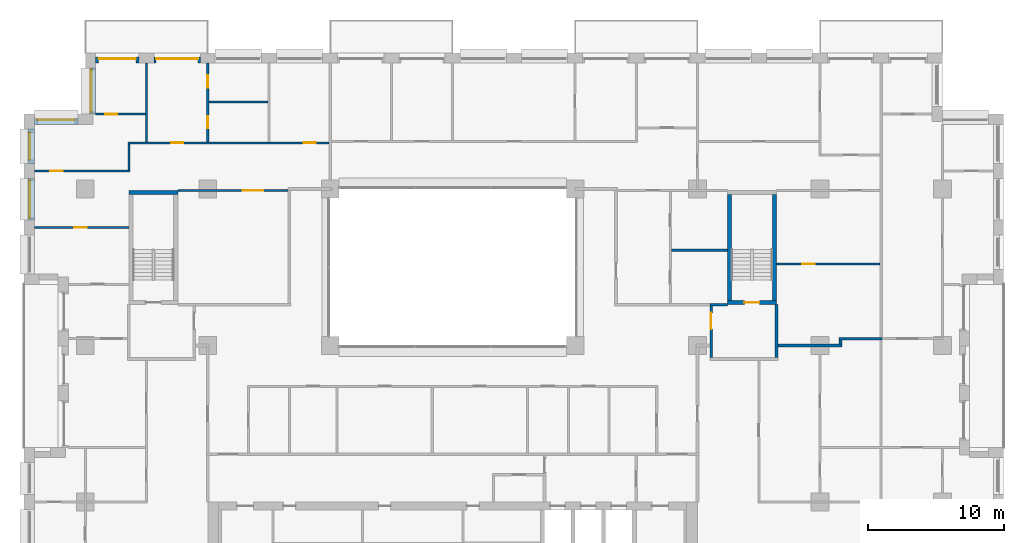
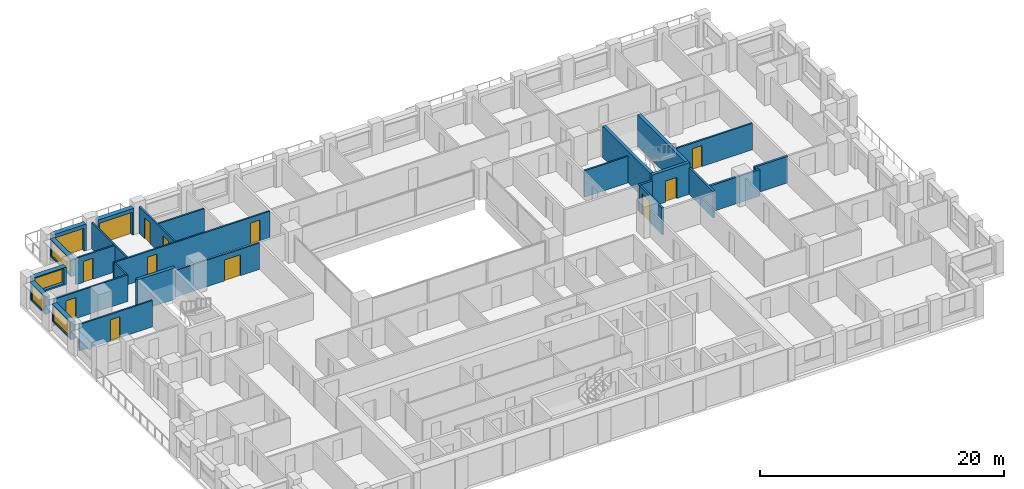
# One storey, part 12 of 17: 27 walls, 13 doors, 4 windows, 17 openings.
"""IFC4 building model written with IfcOpenShell, lengths in metres."""

from ifc_helpers import new_model, si_unit, direction, frame, frame_2d, origin, place, context, subcontext, project, spatial, rectangle, extrude, material, layer, layer_set, type_object, element, fill, save


model = new_model("IFC4")

# Units and contexts
model_context = context("Model", 3, precision=1e-05, world=origin(), true_north=direction((0.0, 1.0)))
body_context = subcontext(model_context, "Body", "Model", "MODEL_VIEW")
ifc_project = project(units=[si_unit("LENGTHUNIT", "METRE"), si_unit("AREAUNIT", "SQUARE_METRE"), si_unit("VOLUMEUNIT", "CUBIC_METRE"), si_unit("PLANEANGLEUNIT", "RADIAN"), si_unit("MASSUNIT", "GRAM", prefix="KILO")], contexts=[model_context])

# Site, building, storey
site_placement = place(None, origin())
site = spatial("IfcSite", under=ifc_project, at=site_placement, CompositionType="ELEMENT")
building_placement = place(site_placement, origin())
building = spatial("IfcBuilding", under=site, at=building_placement, Name="Brigalow Station Residences", CompositionType="ELEMENT")
storey_placement = place(building_placement, frame((0.0, 0.0, 127.64990234375)))
storey = spatial("IfcBuildingStorey", under=building, at=storey_placement, Name="L37", CompositionType="ELEMENT", Elevation=127.64990234375)

# Wall, opening, door
ifc_material_1 = material(Name="Clay brick masonry", Category="masonry")
ifc_layer_1 = layer(ifc_material_1, 0.449951171875)
ifc_layer_set_1 = layer_set([ifc_layer_1], Name="BRICK INFILL WALL 450")
wall_type_1 = type_object("IfcWallType", Name="BRICK INFILL WALL 450", PredefinedType="SOLIDWALL", material=ifc_layer_set_1)
wall_1_placement = place(storey_placement, frame((17.449951171875, 44.97509765625, 0.0), z_axis=(0.0, 0.0, 1.0), x_axis=(-1.0, 0.0, 0.0)))
wall_1 = element("IfcWall", 1, at=wall_1_placement, inside=storey, type_object=wall_type_1, Name="L37/ewall/W-L37-35", PredefinedType="SOLIDWALL", context=body_context, shape_type="SweptSolid", body=[
    extrude(rectangle(XDim=3.39990234375, YDim=0.449951171875, at=frame_2d((1.699951171875, 0.0))), origin(), (0.0, 0.0, 1.0), 2.650146484375),
])
opening_1_placement = place(wall_1_placement, frame((0.14990234375, 0.0, 0.0)))
opening_1 = element("IfcOpeningElement", 2, at=opening_1_placement, cuts=wall_1, Name="Opening D-B3100", PredefinedType="OPENING", context=body_context, shape_type="SweptSolid", body=[
    extrude(rectangle(XDim=3.10009765625, YDim=2.300048828125, at=frame_2d((1.550048828125, 1.14990234375))), frame((0.0, 0.23486328125, 0.0), z_axis=(0.0, -1.0, 0.0), x_axis=(1.0, 0.0, 0.0)), (0.0, 0.0, 1.0), 0.469970703125),
])
ifc_material_2 = material(Name="Anodised aluminium frame with double glazing", Category="aluminium")
door_type_1 = type_object("IfcDoorType", Name="BALCONY SLIDING DOOR 3100x2300", OperationType="SLIDING_TO_LEFT", PredefinedType="DOOR", material=ifc_material_2)
door_1_placement = place(opening_1_placement, origin())
door_1 = element("IfcDoor", 3, at=door_1_placement, inside=storey, type_object=door_type_1, Name="L37/balcony-door/W-L37-35", OperationType="SLIDING_TO_LEFT", OverallHeight=2.300048828125, OverallWidth=3.10009765625, PredefinedType="DOOR", context=body_context, shape_type="SweptSolid", body=[
    extrude(rectangle(XDim=3.10009765625, YDim=2.300048828125, at=frame_2d((1.550048828125, 1.14990234375))), frame((0.0, -0.06982421875, 0.0), z_axis=(0.0, -1.0, 0.0), x_axis=(1.0, 0.0, 0.0)), (0.0, 0.0, 1.0), 0.050048828125),
])
fill(opening_1, door_1)

wall_2_placement = place(storey_placement, frame((12.949951171875, 44.97509765625, 0.0), z_axis=(0.0, 0.0, 1.0), x_axis=(-1.0, 0.0, 0.0)))
wall_2 = element("IfcWall", 4, at=wall_2_placement, inside=storey, type_object=wall_type_1, Name="L37/ewall/W-L37-36", PredefinedType="SOLIDWALL", context=body_context, shape_type="SweptSolid", body=[
    extrude(rectangle(XDim=3.199951171875, YDim=0.449951171875, at=frame_2d((1.60009765625, 0.0))), origin(), (0.0, 0.0, 1.0), 2.650146484375),
])
opening_2_placement = place(wall_2_placement, frame((0.22509765625, 0.0, 0.0)))
opening_2 = element("IfcOpeningElement", 5, at=opening_2_placement, cuts=wall_2, Name="Opening D-B2750", PredefinedType="OPENING", context=body_context, shape_type="SweptSolid", body=[
    extrude(rectangle(XDim=2.75, YDim=2.300048828125, at=frame_2d((1.375, 1.14990234375))), frame((0.0, 0.23486328125, 0.0), z_axis=(0.0, -1.0, 0.0), x_axis=(1.0, 0.0, 0.0)), (0.0, 0.0, 1.0), 0.469970703125),
])
ifc_material_3 = material(Name="Anodised aluminium frame with double glazing", Category="aluminium")
door_type_2 = type_object("IfcDoorType", Name="BALCONY SLIDING DOOR 2750x2300", OperationType="SLIDING_TO_LEFT", PredefinedType="DOOR", material=ifc_material_3)
door_2_placement = place(opening_2_placement, origin())
door_2 = element("IfcDoor", 6, at=door_2_placement, inside=storey, type_object=door_type_2, Name="L37/balcony-door/W-L37-36", OperationType="SLIDING_TO_LEFT", OverallHeight=2.300048828125, OverallWidth=2.75, PredefinedType="DOOR", context=body_context, shape_type="SweptSolid", body=[
    extrude(rectangle(XDim=2.75, YDim=2.300048828125, at=frame_2d((1.375, 1.14990234375))), frame((0.0, -0.06982421875, 0.0), z_axis=(0.0, -1.0, 0.0), x_axis=(1.0, 0.0, 0.0)), (0.0, 0.0, 1.0), 0.050048828125),
])
fill(opening_2, door_2)

# Wall, opening, window
wall_3_placement = place(storey_placement, frame((9.52490234375, 44.39990234375, 0.900146484375), z_axis=(0.0, 0.0, 1.0), x_axis=(0.0, -1.0, 0.0)))
wall_3 = element("IfcWall", 7, at=wall_3_placement, inside=storey, type_object=wall_type_1, Name="L37/ewall/W-L37-37", PredefinedType="SOLIDWALL", context=body_context, shape_type="SweptSolid", body=[
    extrude(rectangle(XDim=3.39990234375, YDim=0.449951171875, at=frame_2d((1.699951171875, 0.0))), origin(), (0.0, 0.0, 1.0), 1.75),
])
opening_3_placement = place(wall_3_placement, frame((0.14990234375, 0.0, 0.14990234375)))
opening_3 = element("IfcOpeningElement", 8, at=opening_3_placement, cuts=wall_3, Name="Opening WT-8", PredefinedType="OPENING", context=body_context, shape_type="SweptSolid", body=[
    extrude(rectangle(XDim=3.10009765625, YDim=1.5, at=frame_2d((1.550048828125, 0.75))), frame((0.0, 0.23486328125, 0.0), z_axis=(0.0, -1.0, 0.0), x_axis=(1.0, 0.0, 0.0)), (0.0, 0.0, 1.0), 0.469970703125),
])
ifc_material_4 = material(Name="Anodised aluminium frame with double glazing", Category="aluminium")
window_type_1 = type_object("IfcWindowType", Name="WINDOW 3100x1500", PartitioningType="SINGLE_PANEL", PredefinedType="WINDOW", material=ifc_material_4)
window_1_placement = place(opening_3_placement, origin())
window_1 = element("IfcWindow", 9, at=window_1_placement, inside=storey, type_object=window_type_1, Name="L37/window/W-L37-37", OverallHeight=1.5, OverallWidth=3.10009765625, PartitioningType="SINGLE_PANEL", PredefinedType="WINDOW", context=body_context, shape_type="SweptSolid", body=[
    extrude(rectangle(XDim=3.10009765625, YDim=1.5, at=frame_2d((1.550048828125, 0.75))), frame((0.0, -0.06494140625, 0.0), z_axis=(0.0, -1.0, 0.0), x_axis=(1.0, 0.0, 0.0)), (0.0, 0.0, 1.0), 0.06005859375),
])
fill(opening_3, window_1)

wall_4_placement = place(storey_placement, frame((8.449951171875, 40.47509765625, 0.900146484375), z_axis=(0.0, 0.0, 1.0), x_axis=(-1.0, 0.0, 0.0)))
wall_4 = element("IfcWall", 10, at=wall_4_placement, inside=storey, type_object=wall_type_1, Name="L37/ewall/W-L37-38", PredefinedType="SOLIDWALL", context=body_context, shape_type="SweptSolid", body=[
    extrude(rectangle(XDim=3.199951171875, YDim=0.449951171875, at=frame_2d((1.60009765625, 0.0))), origin(), (0.0, 0.0, 1.0), 1.75),
])
opening_4_placement = place(wall_4_placement, frame((0.22509765625, 0.0, 0.14990234375)))
opening_4 = element("IfcOpeningElement", 11, at=opening_4_placement, cuts=wall_4, Name="Opening WT-3", PredefinedType="OPENING", context=body_context, shape_type="SweptSolid", body=[
    extrude(rectangle(XDim=2.75, YDim=1.5, at=frame_2d((1.375, 0.75))), frame((0.0, 0.23486328125, 0.0), z_axis=(0.0, -1.0, 0.0), x_axis=(1.0, 0.0, 0.0)), (0.0, 0.0, 1.0), 0.469970703125),
])
ifc_material_5 = material(Name="Anodised aluminium frame with double glazing", Category="aluminium")
window_type_2 = type_object("IfcWindowType", Name="WINDOW 2750x1500", PartitioningType="SINGLE_PANEL", PredefinedType="WINDOW", material=ifc_material_5)
window_2_placement = place(opening_4_placement, origin())
window_2 = element("IfcWindow", 12, at=window_2_placement, inside=storey, type_object=window_type_2, Name="L37/window/W-L37-38", OverallHeight=1.5, OverallWidth=2.75, PartitioningType="SINGLE_PANEL", PredefinedType="WINDOW", context=body_context, shape_type="SweptSolid", body=[
    extrude(rectangle(XDim=2.75, YDim=1.5, at=frame_2d((1.375, 0.75))), frame((0.0, -0.06494140625, 0.0), z_axis=(0.0, -1.0, 0.0), x_axis=(1.0, 0.0, 0.0)), (0.0, 0.0, 1.0), 0.06005859375),
])
fill(opening_4, window_2)

wall_5_placement = place(storey_placement, frame((5.02490234375, 39.89990234375, 0.900146484375), z_axis=(0.0, 0.0, 1.0), x_axis=(0.0, -1.0, 0.0)))
wall_5 = element("IfcWall", 13, at=wall_5_placement, inside=storey, type_object=wall_type_1, Name="L37/ewall/W-L37-39", PredefinedType="SOLIDWALL", context=body_context, shape_type="SweptSolid", body=[
    extrude(rectangle(XDim=2.516845703125, YDim=0.449951171875, at=frame_2d((1.25830078125, 0.0))), origin(), (0.0, 0.0, 1.0), 1.75),
])
opening_5_placement = place(wall_5_placement, frame((0.258544921875, 0.0, 0.14990234375)))
opening_5 = element("IfcOpeningElement", 14, at=opening_5_placement, cuts=wall_5, Name="Opening WT-7", PredefinedType="OPENING", context=body_context, shape_type="SweptSolid", body=[
    extrude(rectangle(XDim=2.0, YDim=1.5, at=frame_2d((1.0, 0.75))), frame((0.0, 0.23486328125, 0.0), z_axis=(0.0, -1.0, 0.0), x_axis=(1.0, 0.0, 0.0)), (0.0, 0.0, 1.0), 0.469970703125),
])
ifc_material_6 = material(Name="Anodised aluminium frame with double glazing", Category="aluminium")
window_type_3 = type_object("IfcWindowType", Name="WINDOW 2000x1500", PartitioningType="SINGLE_PANEL", PredefinedType="WINDOW", material=ifc_material_6)
window_3_placement = place(opening_5_placement, origin())
window_3 = element("IfcWindow", 15, at=window_3_placement, inside=storey, type_object=window_type_3, Name="L37/window/W-L37-39", OverallHeight=1.5, OverallWidth=2.0, PartitioningType="SINGLE_PANEL", PredefinedType="WINDOW", context=body_context, shape_type="SweptSolid", body=[
    extrude(rectangle(XDim=2.0, YDim=1.5, at=frame_2d((1.0, 0.75))), frame((0.0, -0.06494140625, 0.0), z_axis=(0.0, -1.0, 0.0), x_axis=(1.0, 0.0, 0.0)), (0.0, 0.0, 1.0), 0.06005859375),
])
fill(opening_5, window_3)

wall_6_placement = place(storey_placement, frame((5.02490234375, 36.282958984375, 0.900146484375), z_axis=(0.0, 0.0, 1.0), x_axis=(0.0, -1.0, 0.0)))
wall_6 = element("IfcWall", 16, at=wall_6_placement, inside=storey, type_object=wall_type_1, Name="L37/ewall/W-L37-40", PredefinedType="SOLIDWALL", context=body_context, shape_type="SweptSolid", body=[
    extrude(rectangle(XDim=3.06591796875, YDim=0.449951171875, at=frame_2d((1.532958984375, 0.0))), origin(), (0.0, 0.0, 1.0), 1.75),
])
opening_6_placement = place(wall_6_placement, frame((0.157958984375, 0.0, 0.14990234375)))
opening_6 = element("IfcOpeningElement", 17, at=opening_6_placement, cuts=wall_6, Name="Opening WT-3", PredefinedType="OPENING", context=body_context, shape_type="SweptSolid", body=[
    extrude(rectangle(XDim=2.75, YDim=1.5, at=frame_2d((1.375, 0.75))), frame((0.0, 0.23486328125, 0.0), z_axis=(0.0, -1.0, 0.0), x_axis=(1.0, 0.0, 0.0)), (0.0, 0.0, 1.0), 0.469970703125),
])
window_4_placement = place(opening_6_placement, origin())
window_4 = element("IfcWindow", 18, at=window_4_placement, inside=storey, type_object=window_type_2, Name="L37/window/W-L37-40", OverallHeight=1.5, OverallWidth=2.75, PartitioningType="SINGLE_PANEL", PredefinedType="WINDOW", context=body_context, shape_type="SweptSolid", body=[
    extrude(rectangle(XDim=2.75, YDim=1.5, at=frame_2d((1.375, 0.75))), frame((0.0, -0.06494140625, 0.0), z_axis=(0.0, -1.0, 0.0), x_axis=(1.0, 0.0, 0.0)), (0.0, 0.0, 1.0), 0.06005859375),
])
fill(opening_6, window_4)

# Wall
ifc_material_7 = material(Name="Concrete C65", Category="concrete")
ifc_layer_2 = layer(ifc_material_7, 0.300048828125)
ifc_layer_set_2 = layer_set([ifc_layer_2], Name="CORE SHEAR WALL 300 C65")
wall_type_2 = type_object("IfcWallType", Name="CORE SHEAR WALL 300 C65", PredefinedType="SHEAR", material=ifc_layer_set_2)
wall_7_placement = place(storey_placement, frame((12.199951171875, 35.25, 0.0), z_axis=(0.0, 0.0, 1.0), x_axis=(1.0, 0.0, 0.0)))
element("IfcWall", 19, at=wall_7_placement, inside=storey, type_object=wall_type_2, Name="CORE WALL ST-S1-N L37", PredefinedType="SHEAR", context=body_context, shape_type="SweptSolid", body=[
    extrude(rectangle(XDim=3.60009765625, YDim=0.300048828125, at=frame_2d((1.800048828125, 0.0))), origin(), (0.0, 0.0, 1.0), 3.150146484375),
])

# Wall, opening, door
wall_8_placement = place(storey_placement, frame((56.199951171875, 27.14990234375, 0.0), z_axis=(0.0, 0.0, 1.0), x_axis=(1.0, 0.0, 0.0)))
wall_8 = element("IfcWall", 20, at=wall_8_placement, inside=storey, type_object=wall_type_2, Name="CORE WALL ST-S3-S L37", PredefinedType="SHEAR", context=body_context, shape_type="SweptSolid", body=[
    extrude(rectangle(XDim=3.60009765625, YDim=0.300048828125, at=frame_2d((1.800048828125, 0.0))), origin(), (0.0, 0.0, 1.0), 3.150146484375),
])
opening_7_placement = place(wall_8_placement, frame((1.25, 0.0, 0.0)))
opening_7 = element("IfcOpeningElement", 21, at=opening_7_placement, cuts=wall_8, Name="Opening D-5018", PredefinedType="OPENING", context=body_context, shape_type="SweptSolid", body=[
    extrude(rectangle(XDim=1.10009765625, YDim=2.10009765625, at=frame_2d((0.550048828125, 1.050048828125))), frame((0.0, 0.16015625, 0.0), z_axis=(0.0, -1.0, 0.0), x_axis=(1.0, 0.0, 0.0)), (0.0, 0.0, 1.0), 0.320068359375),
])
ifc_material_8 = material(Name="Steel fire door leaf in steel frame", Category="steel")
door_type_3 = type_object("IfcDoorType", Name="STAIR DOOR 1100 x 2100 FD60S", OperationType="SINGLE_SWING_LEFT", PredefinedType="DOOR", material=ifc_material_8)
door_3_placement = place(opening_7_placement, origin())
door_3 = element("IfcDoor", 22, at=door_3_placement, inside=storey, type_object=door_type_3, Name="D-5018", OperationType="SINGLE_SWING_LEFT", OverallHeight=2.10009765625, OverallWidth=1.10009765625, PredefinedType="DOOR", context=body_context, shape_type="SweptSolid", body=[
    extrude(rectangle(XDim=1.10009765625, YDim=2.10009765625, at=frame_2d((0.550048828125, 1.050048828125))), frame((0.0, 0.02490234375, 0.0), z_axis=(0.0, -1.0, 0.0), x_axis=(1.0, 0.0, 0.0)), (0.0, 0.0, 1.0), 0.050048828125),
])
fill(opening_7, door_3)

# Walls
for number, where, z_axis, x_axis, name in (
    (23, (56.35009765625, 27.300048828125, 0.0), (0.0, 0.0, 1.0), (0.0, 1.0, 0.0), "CORE WALL ST-S3-W L37"),
    (24, (59.64990234375, 27.300048828125, 0.0), (0.0, 0.0, 1.0), (0.0, 1.0, 0.0), "CORE WALL ST-S3-E L37"),
):
    element("IfcWall", number, at=place(storey_placement, frame(where, z_axis=z_axis, x_axis=x_axis)), inside=storey, type_object=wall_type_2, Name=name, PredefinedType="SHEAR", context=body_context, shape_type="SweptSolid", body=[
        extrude(rectangle(XDim=7.800048828125, YDim=0.300048828125, at=frame_2d((3.89990234375, 0.0))), origin(), (0.0, 0.0, 1.0), 3.150146484375),
    ])
ifc_material_9 = material(Name="Concrete blockwork", Category="masonry")
ifc_layer_3 = layer(ifc_material_9, 0.199951171875)
ifc_layer_set_3 = layer_set([ifc_layer_3], Name="FIRE RATED CORE PARTITION 200")
wall_type_3 = type_object("IfcWallType", Name="FIRE RATED CORE PARTITION 200", PredefinedType="PARTITIONING", material=ifc_layer_set_3)
wall_9_placement = place(storey_placement, frame((54.89990234375, 27.0, 0.0), z_axis=(0.0, 0.0, 1.0), x_axis=(1.0, 0.0, 0.0)))
element("IfcWall", 25, at=wall_9_placement, inside=storey, type_object=wall_type_3, Name="PW-5026", PredefinedType="PARTITIONING", context=body_context, shape_type="SweptSolid", body=[
    extrude(rectangle(XDim=1.300048828125, YDim=0.199951171875, at=frame_2d((0.64990234375, 0.0))), origin(), (0.0, 0.0, 1.0), 2.650146484375),
])

# Wall, opening, door
wall_10_placement = place(storey_placement, frame((55.0, 23.10009765625, 0.0), z_axis=(0.0, 0.0, 1.0), x_axis=(0.0, 1.0, 0.0)))
wall_10 = element("IfcWall", 26, at=wall_10_placement, inside=storey, type_object=wall_type_3, Name="PW-5036", PredefinedType="PARTITIONING", context=body_context, shape_type="SweptSolid", body=[
    extrude(rectangle(XDim=3.7998046875, YDim=0.199951171875, at=frame_2d((1.89990234375, 0.0))), origin(), (0.0, 0.0, 1.0), 2.650146484375),
])
opening_8_placement = place(wall_10_placement, frame((2.10009765625, 0.0, 0.0)))
opening_8 = element("IfcOpeningElement", 27, at=opening_8_placement, cuts=wall_10, Name="Opening D-5019", PredefinedType="OPENING", context=body_context, shape_type="SweptSolid", body=[
    extrude(rectangle(XDim=1.199951171875, YDim=2.10009765625, at=frame_2d((0.60009765625, 1.050048828125))), frame((0.0, 0.10986328125, 0.0), z_axis=(0.0, -1.0, 0.0), x_axis=(1.0, 0.0, 0.0)), (0.0, 0.0, 1.0), 0.219970703125),
])
ifc_material_10 = material(Name="Steel fire door leaf in steel frame", Category="steel")
door_type_4 = type_object("IfcDoorType", Name="STAIR LOBBY DOOR 1200 x 2100 FD60S", OperationType="SINGLE_SWING_LEFT", PredefinedType="DOOR", material=ifc_material_10)
door_4_placement = place(opening_8_placement, frame((1.199951171875, 0.0, 0.0), z_axis=(0.0, 0.0, 1.0), x_axis=(-1.0, 0.0, 0.0)))
door_4 = element("IfcDoor", 28, at=door_4_placement, inside=storey, type_object=door_type_4, Name="D-5019", OperationType="SINGLE_SWING_LEFT", OverallHeight=2.10009765625, OverallWidth=1.199951171875, PredefinedType="DOOR", context=body_context, shape_type="SweptSolid", body=[
    extrude(rectangle(XDim=1.199951171875, YDim=2.10009765625, at=frame_2d((0.60009765625, 1.050048828125))), frame((0.0, 0.02490234375, 0.0), z_axis=(0.0, -1.0, 0.0), x_axis=(1.0, 0.0, 0.0)), (0.0, 0.0, 1.0), 0.050048828125),
])
fill(opening_8, door_4)

# Wall
wall_11_placement = place(storey_placement, frame((59.800048828125, 23.10009765625, 0.0), z_axis=(0.0, 0.0, 1.0), x_axis=(0.0, 1.0, 0.0)))
element("IfcWall", 29, at=wall_11_placement, inside=storey, type_object=wall_type_3, Name="PW-5037", PredefinedType="PARTITIONING", context=body_context, shape_type="SweptSolid", body=[
    extrude(rectangle(XDim=3.89990234375, YDim=0.199951171875, at=frame_2d((1.949951171875, 0.0))), origin(), (0.0, 0.0, 1.0), 2.650146484375),
])

# Wall, opening, door
ifc_material_11 = material(Name="Plasterboard on steel stud partition", Category="steel")
ifc_layer_4 = layer(ifc_material_11, 0.14990234375)
ifc_layer_set_4 = layer_set([ifc_layer_4], Name="FLAT PARTITION 150")
wall_type_4 = type_object("IfcWallType", Name="FLAT PARTITION 150", PredefinedType="PARTITIONING", material=ifc_layer_set_4)
wall_12_placement = place(storey_placement, frame((5.25, 32.6669921875, 0.0), z_axis=(0.0, 0.0, 1.0), x_axis=(1.0, 0.0, 0.0)))
wall_12 = element("IfcWall", 30, at=wall_12_placement, inside=storey, type_object=wall_type_4, Name="PW-2F22", PredefinedType="PARTITIONING", context=body_context, shape_type="SweptSolid", body=[
    extrude(rectangle(XDim=6.949951171875, YDim=0.14990234375, at=frame_2d((3.47509765625, 0.0))), origin(), (0.0, 0.0, 1.0), 2.650146484375),
])
opening_9_placement = place(wall_12_placement, frame((2.949951171875, 0.0, 0.0)))
opening_9 = element("IfcOpeningElement", 31, at=opening_9_placement, cuts=wall_12, Name="Opening D-2F12", PredefinedType="OPENING", context=body_context, shape_type="SweptSolid", body=[
    extrude(rectangle(XDim=0.89990234375, YDim=2.10009765625, at=frame_2d((0.449951171875, 1.050048828125))), frame((0.0, 0.0849609375, 0.0), z_axis=(0.0, -1.0, 0.0), x_axis=(1.0, 0.0, 0.0)), (0.0, 0.0, 1.0), 0.169921875),
])
ifc_material_12 = material(Name="Solid-core timber door leaf", Category="wood")
door_type_5 = type_object("IfcDoorType", Name="INTERNAL DOOR 900 x 2100", OperationType="SINGLE_SWING_LEFT", PredefinedType="DOOR", material=ifc_material_12)
door_5_placement = place(opening_9_placement, frame((0.89990234375, 0.0, 0.0), z_axis=(0.0, 0.0, 1.0), x_axis=(-1.0, 0.0, 0.0)))
door_5 = element("IfcDoor", 32, at=door_5_placement, inside=storey, type_object=door_type_5, Name="D-2F12", OperationType="SINGLE_SWING_RIGHT", OverallHeight=2.10009765625, OverallWidth=0.89990234375, PredefinedType="DOOR", context=body_context, shape_type="SweptSolid", body=[
    extrude(rectangle(XDim=0.89990234375, YDim=2.10009765625, at=frame_2d((0.449951171875, 1.050048828125))), frame((0.0, 0.02490234375, 0.0), z_axis=(0.0, -1.0, 0.0), x_axis=(1.0, 0.0, 0.0)), (0.0, 0.0, 1.0), 0.050048828125),
])
fill(opening_9, door_5)

wall_13_placement = place(storey_placement, frame((5.25, 36.8330078125, 0.0), z_axis=(0.0, 0.0, 1.0), x_axis=(1.0, 0.0, 0.0)))
wall_13 = element("IfcWall", 33, at=wall_13_placement, inside=storey, type_object=wall_type_4, Name="PW-2F23", PredefinedType="PARTITIONING", context=body_context, shape_type="SweptSolid", body=[
    extrude(rectangle(XDim=7.02490234375, YDim=0.14990234375, at=frame_2d((3.512451171875, 0.0))), origin(), (0.0, 0.0, 1.0), 2.650146484375),
])
opening_10_placement = place(wall_13_placement, frame((1.175048828125, 0.0, 0.0)))
opening_10 = element("IfcOpeningElement", 34, at=opening_10_placement, cuts=wall_13, Name="Opening D-2F13", PredefinedType="OPENING", context=body_context, shape_type="SweptSolid", body=[
    extrude(rectangle(XDim=0.89990234375, YDim=2.10009765625, at=frame_2d((0.449951171875, 1.050048828125))), frame((0.0, 0.0849609375, 0.0), z_axis=(0.0, -1.0, 0.0), x_axis=(1.0, 0.0, 0.0)), (0.0, 0.0, 1.0), 0.169921875),
])
door_6_placement = place(opening_10_placement, origin())
door_6 = element("IfcDoor", 35, at=door_6_placement, inside=storey, type_object=door_type_5, Name="D-2F13", OperationType="SINGLE_SWING_LEFT", OverallHeight=2.10009765625, OverallWidth=0.89990234375, PredefinedType="DOOR", context=body_context, shape_type="SweptSolid", body=[
    extrude(rectangle(XDim=0.89990234375, YDim=2.10009765625, at=frame_2d((0.449951171875, 1.050048828125))), frame((0.0, 0.02490234375, 0.0), z_axis=(0.0, -1.0, 0.0), x_axis=(1.0, 0.0, 0.0)), (0.0, 0.0, 1.0), 0.050048828125),
])
fill(opening_10, door_6)

# Wall, openings, doors
wall_14_placement = place(storey_placement, frame((12.125, 38.89990234375, 0.0), z_axis=(0.0, 0.0, 1.0), x_axis=(1.0, 0.0, 0.0)))
wall_14 = element("IfcWall", 36, at=wall_14_placement, inside=storey, type_object=wall_type_4, Name="PW-2F25", PredefinedType="PARTITIONING", context=body_context, shape_type="SweptSolid", body=[
    extrude(rectangle(XDim=14.77490234375, YDim=0.14990234375, at=frame_2d((7.387451171875, 0.0))), origin(), (0.0, 0.0, 1.0), 2.650146484375),
])
opening_11_placement = place(wall_14_placement, frame((3.175048828125, 0.0, 0.0)))
opening_11 = element("IfcOpeningElement", 37, at=opening_11_placement, cuts=wall_14, Name="Opening D-2F15", PredefinedType="OPENING", context=body_context, shape_type="SweptSolid", body=[
    extrude(rectangle(XDim=0.89990234375, YDim=2.10009765625, at=frame_2d((0.449951171875, 1.050048828125))), frame((0.0, 0.0849609375, 0.0), z_axis=(0.0, -1.0, 0.0), x_axis=(1.0, 0.0, 0.0)), (0.0, 0.0, 1.0), 0.169921875),
])
opening_12_placement = place(wall_14_placement, frame((12.925048828125, 0.0, 0.0)))
opening_12 = element("IfcOpeningElement", 38, at=opening_12_placement, cuts=wall_14, Name="Opening D-2F19", PredefinedType="OPENING", context=body_context, shape_type="SweptSolid", body=[
    extrude(rectangle(XDim=0.89990234375, YDim=2.10009765625, at=frame_2d((0.449951171875, 1.050048828125))), frame((0.0, 0.0849609375, 0.0), z_axis=(0.0, -1.0, 0.0), x_axis=(1.0, 0.0, 0.0)), (0.0, 0.0, 1.0), 0.169921875),
])
door_7_placement = place(opening_11_placement, origin())
door_7 = element("IfcDoor", 39, at=door_7_placement, inside=storey, type_object=door_type_5, Name="D-2F15", OperationType="SINGLE_SWING_RIGHT", OverallHeight=2.10009765625, OverallWidth=0.89990234375, PredefinedType="DOOR", context=body_context, shape_type="SweptSolid", body=[
    extrude(rectangle(XDim=0.89990234375, YDim=2.10009765625, at=frame_2d((0.449951171875, 1.050048828125))), frame((0.0, 0.02490234375, 0.0), z_axis=(0.0, -1.0, 0.0), x_axis=(1.0, 0.0, 0.0)), (0.0, 0.0, 1.0), 0.050048828125),
])
fill(opening_11, door_7)
door_8_placement = place(opening_12_placement, origin())
door_8 = element("IfcDoor", 40, at=door_8_placement, inside=storey, type_object=door_type_5, Name="D-2F19", OperationType="SINGLE_SWING_RIGHT", OverallHeight=2.10009765625, OverallWidth=0.89990234375, PredefinedType="DOOR", context=body_context, shape_type="SweptSolid", body=[
    extrude(rectangle(XDim=0.89990234375, YDim=2.10009765625, at=frame_2d((0.449951171875, 1.050048828125))), frame((0.0, 0.02490234375, 0.0), z_axis=(0.0, -1.0, 0.0), x_axis=(1.0, 0.0, 0.0)), (0.0, 0.0, 1.0), 0.050048828125),
])
fill(opening_12, door_8)

# Wall, opening, door
wall_15_placement = place(storey_placement, frame((15.800048828125, 35.39990234375, 0.0), z_axis=(0.0, 0.0, 1.0), x_axis=(1.0, 0.0, 0.0)))
wall_15 = element("IfcWall", 41, at=wall_15_placement, inside=storey, type_object=wall_type_4, Name="PW-2F26", PredefinedType="PARTITIONING", context=body_context, shape_type="SweptSolid", body=[
    extrude(rectangle(XDim=8.099853515625, YDim=0.14990234375, at=frame_2d((4.0498046875, 0.0))), origin(), (0.0, 0.0, 1.0), 2.650146484375),
])
opening_13_placement = place(wall_15_placement, frame((4.77490234375, 0.0, 0.0)))
opening_13 = element("IfcOpeningElement", 42, at=opening_13_placement, cuts=wall_15, Name="Opening D-2F18", PredefinedType="OPENING", context=body_context, shape_type="SweptSolid", body=[
    extrude(rectangle(XDim=1.5, YDim=2.10009765625, at=frame_2d((0.75, 1.050048828125))), frame((0.0, 0.0849609375, 0.0), z_axis=(0.0, -1.0, 0.0), x_axis=(1.0, 0.0, 0.0)), (0.0, 0.0, 1.0), 0.169921875),
])
ifc_material_13 = material(Name="Solid-core timber door leaf", Category="wood")
door_type_6 = type_object("IfcDoorType", Name="INTERNAL DOUBLE DOOR 1500 x 2100", OperationType="DOUBLE_DOOR_SINGLE_SWING", PredefinedType="DOOR", material=ifc_material_13)
door_9_placement = place(opening_13_placement, frame((1.5, 0.0, 0.0), z_axis=(0.0, 0.0, 1.0), x_axis=(-1.0, 0.0, 0.0)))
door_9 = element("IfcDoor", 43, at=door_9_placement, inside=storey, type_object=door_type_6, Name="D-2F18", OperationType="DOUBLE_DOOR_SINGLE_SWING", OverallHeight=2.10009765625, OverallWidth=1.5, PredefinedType="DOOR", context=body_context, shape_type="SweptSolid", body=[
    extrude(rectangle(XDim=1.5, YDim=2.10009765625, at=frame_2d((0.75, 1.050048828125))), frame((0.0, 0.02490234375, 0.0), z_axis=(0.0, -1.0, 0.0), x_axis=(1.0, 0.0, 0.0)), (0.0, 0.0, 1.0), 0.050048828125),
])
fill(opening_13, door_9)

wall_16_placement = place(storey_placement, frame((9.75, 41.0, 0.0), z_axis=(0.0, 0.0, 1.0), x_axis=(1.0, 0.0, 0.0)))
wall_16 = element("IfcWall", 44, at=wall_16_placement, inside=storey, type_object=wall_type_4, Name="PW-2F29", PredefinedType="PARTITIONING", context=body_context, shape_type="SweptSolid", body=[
    extrude(rectangle(XDim=3.675048828125, YDim=0.14990234375, at=frame_2d((1.83740234375, 0.0))), origin(), (0.0, 0.0, 1.0), 2.650146484375),
])
opening_14_placement = place(wall_16_placement, frame((0.699951171875, 0.0, 0.0)))
opening_14 = element("IfcOpeningElement", 45, at=opening_14_placement, cuts=wall_16, Name="Opening D-2F14", PredefinedType="OPENING", context=body_context, shape_type="SweptSolid", body=[
    extrude(rectangle(XDim=0.89990234375, YDim=2.10009765625, at=frame_2d((0.449951171875, 1.050048828125))), frame((0.0, 0.0849609375, 0.0), z_axis=(0.0, -1.0, 0.0), x_axis=(1.0, 0.0, 0.0)), (0.0, 0.0, 1.0), 0.169921875),
])
door_10_placement = place(opening_14_placement, origin())
door_10 = element("IfcDoor", 46, at=door_10_placement, inside=storey, type_object=door_type_5, Name="D-2F14", OperationType="SINGLE_SWING_LEFT", OverallHeight=2.10009765625, OverallWidth=0.89990234375, PredefinedType="DOOR", context=body_context, shape_type="SweptSolid", body=[
    extrude(rectangle(XDim=0.89990234375, YDim=2.10009765625, at=frame_2d((0.449951171875, 1.050048828125))), frame((0.0, 0.02490234375, 0.0), z_axis=(0.0, -1.0, 0.0), x_axis=(1.0, 0.0, 0.0)), (0.0, 0.0, 1.0), 0.050048828125),
])
fill(opening_14, door_10)

# Walls
wall_17_placement = place(storey_placement, frame((18.074951171875, 41.89990234375, 0.0), z_axis=(0.0, 0.0, 1.0), x_axis=(1.0, 0.0, 0.0)))
element("IfcWall", 47, at=wall_17_placement, inside=storey, type_object=wall_type_4, Name="PW-2F31", PredefinedType="PARTITIONING", context=body_context, shape_type="SweptSolid", body=[
    extrude(rectangle(XDim=4.35009765625, YDim=0.14990234375, at=frame_2d((2.175048828125, 0.0))), origin(), (0.0, 0.0, 1.0), 2.650146484375),
])
wall_18_placement = place(storey_placement, frame((52.074951171875, 31.0, 0.0), z_axis=(0.0, 0.0, 1.0), x_axis=(1.0, 0.0, 0.0)))
element("IfcWall", 48, at=wall_18_placement, inside=storey, type_object=wall_type_4, Name="PW-2F32", PredefinedType="PARTITIONING", context=body_context, shape_type="SweptSolid", body=[
    extrude(rectangle(XDim=4.125, YDim=0.14990234375, at=frame_2d((2.0625, 0.0))), origin(), (0.0, 0.0, 1.0), 2.650146484375),
])

# Wall, opening, door
wall_19_placement = place(storey_placement, frame((59.800048828125, 30.0, 0.0), z_axis=(0.0, 0.0, 1.0), x_axis=(1.0, 0.0, 0.0)))
wall_19 = element("IfcWall", 49, at=wall_19_placement, inside=storey, type_object=wall_type_4, Name="PW-2F37", PredefinedType="PARTITIONING", context=body_context, shape_type="SweptSolid", body=[
    extrude(rectangle(XDim=7.599853515625, YDim=0.14990234375, at=frame_2d((3.7998046875, 0.0))), origin(), (0.0, 0.0, 1.0), 2.650146484375),
])
opening_15_placement = place(wall_19_placement, frame((1.89990234375, 0.0, 0.0)))
opening_15 = element("IfcOpeningElement", 50, at=opening_15_placement, cuts=wall_19, Name="Opening D-2F34", PredefinedType="OPENING", context=body_context, shape_type="SweptSolid", body=[
    extrude(rectangle(XDim=0.89990234375, YDim=2.10009765625, at=frame_2d((0.449951171875, 1.050048828125))), frame((0.0, 0.0849609375, 0.0), z_axis=(0.0, -1.0, 0.0), x_axis=(1.0, 0.0, 0.0)), (0.0, 0.0, 1.0), 0.169921875),
])
door_11_placement = place(opening_15_placement, origin())
door_11 = element("IfcDoor", 51, at=door_11_placement, inside=storey, type_object=door_type_5, Name="D-2F34", OperationType="SINGLE_SWING_LEFT", OverallHeight=2.10009765625, OverallWidth=0.89990234375, PredefinedType="DOOR", context=body_context, shape_type="SweptSolid", body=[
    extrude(rectangle(XDim=0.89990234375, YDim=2.10009765625, at=frame_2d((0.449951171875, 1.050048828125))), frame((0.0, 0.02490234375, 0.0), z_axis=(0.0, -1.0, 0.0), x_axis=(1.0, 0.0, 0.0)), (0.0, 0.0, 1.0), 0.050048828125),
])
fill(opening_15, door_11)

# Wall, openings, doors
wall_20_placement = place(storey_placement, frame((18.0, 38.97509765625, 0.0), z_axis=(0.0, 0.0, 1.0), x_axis=(0.0, 1.0, 0.0)))
wall_20 = element("IfcWall", 52, at=wall_20_placement, inside=storey, type_object=wall_type_4, Name="PW-2F39", PredefinedType="PARTITIONING", context=body_context, shape_type="SweptSolid", body=[
    extrude(rectangle(XDim=5.77490234375, YDim=0.14990234375, at=frame_2d((2.887451171875, 0.0))), origin(), (0.0, 0.0, 1.0), 2.650146484375),
])
opening_16_placement = place(wall_20_placement, frame((0.97509765625, 0.0, 0.0)))
opening_16 = element("IfcOpeningElement", 53, at=opening_16_placement, cuts=wall_20, Name="Opening D-2F16", PredefinedType="OPENING", context=body_context, shape_type="SweptSolid", body=[
    extrude(rectangle(XDim=0.89990234375, YDim=2.10009765625, at=frame_2d((0.449951171875, 1.050048828125))), frame((0.0, 0.0849609375, 0.0), z_axis=(0.0, -1.0, 0.0), x_axis=(1.0, 0.0, 0.0)), (0.0, 0.0, 1.0), 0.169921875),
])
opening_17_placement = place(wall_20_placement, frame((3.97509765625, 0.0, 0.0)))
opening_17 = element("IfcOpeningElement", 54, at=opening_17_placement, cuts=wall_20, Name="Opening D-2F17", PredefinedType="OPENING", context=body_context, shape_type="SweptSolid", body=[
    extrude(rectangle(XDim=0.89990234375, YDim=2.10009765625, at=frame_2d((0.449951171875, 1.050048828125))), frame((0.0, 0.0849609375, 0.0), z_axis=(0.0, -1.0, 0.0), x_axis=(1.0, 0.0, 0.0)), (0.0, 0.0, 1.0), 0.169921875),
])
door_12_placement = place(opening_16_placement, frame((0.89990234375, 0.0, 0.0), z_axis=(0.0, 0.0, 1.0), x_axis=(-1.0, 0.0, 0.0)))
door_12 = element("IfcDoor", 55, at=door_12_placement, inside=storey, type_object=door_type_5, Name="D-2F16", OperationType="SINGLE_SWING_RIGHT", OverallHeight=2.10009765625, OverallWidth=0.89990234375, PredefinedType="DOOR", context=body_context, shape_type="SweptSolid", body=[
    extrude(rectangle(XDim=0.89990234375, YDim=2.10009765625, at=frame_2d((0.449951171875, 1.050048828125))), frame((0.0, 0.02490234375, 0.0), z_axis=(0.0, -1.0, 0.0), x_axis=(1.0, 0.0, 0.0)), (0.0, 0.0, 1.0), 0.050048828125),
])
fill(opening_16, door_12)
door_13_placement = place(opening_17_placement, frame((0.89990234375, 0.0, 0.0), z_axis=(0.0, 0.0, 1.0), x_axis=(-1.0, 0.0, 0.0)))
door_13 = element("IfcDoor", 56, at=door_13_placement, inside=storey, type_object=door_type_5, Name="D-2F17", OperationType="SINGLE_SWING_LEFT", OverallHeight=2.10009765625, OverallWidth=0.89990234375, PredefinedType="DOOR", context=body_context, shape_type="SweptSolid", body=[
    extrude(rectangle(XDim=0.89990234375, YDim=2.10009765625, at=frame_2d((0.449951171875, 1.050048828125))), frame((0.0, 0.02490234375, 0.0), z_axis=(0.0, -1.0, 0.0), x_axis=(1.0, 0.0, 0.0)), (0.0, 0.0, 1.0), 0.050048828125),
])
fill(opening_17, door_13)

# Walls
wall_21_placement = place(storey_placement, frame((13.5, 38.97509765625, 0.0), z_axis=(0.0, 0.0, 1.0), x_axis=(0.0, 1.0, 0.0)))
element("IfcWall", 57, at=wall_21_placement, inside=storey, type_object=wall_type_4, Name="PW-2F52", PredefinedType="PARTITIONING", context=body_context, shape_type="SweptSolid", body=[
    extrude(rectangle(XDim=5.77490234375, YDim=0.14990234375, at=frame_2d((2.887451171875, 0.0))), origin(), (0.0, 0.0, 1.0), 2.650146484375),
])
wall_22_placement = place(storey_placement, frame((12.199951171875, 36.907958984375, 0.0), z_axis=(0.0, 0.0, 1.0), x_axis=(0.0, 1.0, 0.0)))
element("IfcWall", 58, at=wall_22_placement, inside=storey, type_object=wall_type_4, Name="PW-2F53", PredefinedType="PARTITIONING", context=body_context, shape_type="SweptSolid", body=[
    extrude(rectangle(XDim=1.9169921875, YDim=0.14990234375, at=frame_2d((0.95849609375, 0.0))), origin(), (0.0, 0.0, 1.0), 2.650146484375),
])
ifc_material_14 = material(Name="Plasterboard on steel stud partition", Category="steel")
ifc_layer_5 = layer(ifc_material_14, 0.199951171875)
ifc_layer_set_5 = layer_set([ifc_layer_5], Name="PARTY AND CORRIDOR WALL 200")
wall_type_5 = type_object("IfcWallType", Name="PARTY AND CORRIDOR WALL 200", PredefinedType="PARTITIONING", material=ifc_layer_set_5)
wall_23_placement = place(storey_placement, frame((59.89990234375, 24.0, 0.0), z_axis=(0.0, 0.0, 1.0), x_axis=(1.0, 0.0, 0.0)))
element("IfcWall", 59, at=wall_23_placement, inside=storey, type_object=wall_type_5, Name="PW-2F04", PredefinedType="PARTITIONING", context=body_context, shape_type="SweptSolid", body=[
    extrude(rectangle(XDim=4.7001953125, YDim=0.199951171875, at=frame_2d((2.35009765625, 0.0))), origin(), (0.0, 0.0, 1.0), 2.650146484375),
])
wall_24_placement = place(storey_placement, frame((64.39990234375, 24.5, 0.0), z_axis=(0.0, 0.0, 1.0), x_axis=(1.0, 0.0, 0.0)))
element("IfcWall", 60, at=wall_24_placement, inside=storey, type_object=wall_type_5, Name="PW-2F19", PredefinedType="PARTITIONING", context=body_context, shape_type="SweptSolid", body=[
    extrude(rectangle(XDim=3.175048828125, YDim=0.199951171875, at=frame_2d((1.58740234375, 0.0))), origin(), (0.0, 0.0, 1.0), 2.650146484375),
])
wall_25_placement = place(storey_placement, frame((64.5, 24.10009765625, 0.0), z_axis=(0.0, 0.0, 1.0), x_axis=(0.0, 1.0, 0.0)))
element("IfcWall", 61, at=wall_25_placement, inside=storey, type_object=wall_type_5, Name="PW-2F67", PredefinedType="PARTITIONING", context=body_context, shape_type="SweptSolid", body=[
    extrude(rectangle(XDim=0.2998046875, YDim=0.199951171875, at=frame_2d((0.14990234375, 0.0))), origin(), (0.0, 0.0, 1.0), 2.650146484375),
])

save(model, "model.ifc")
